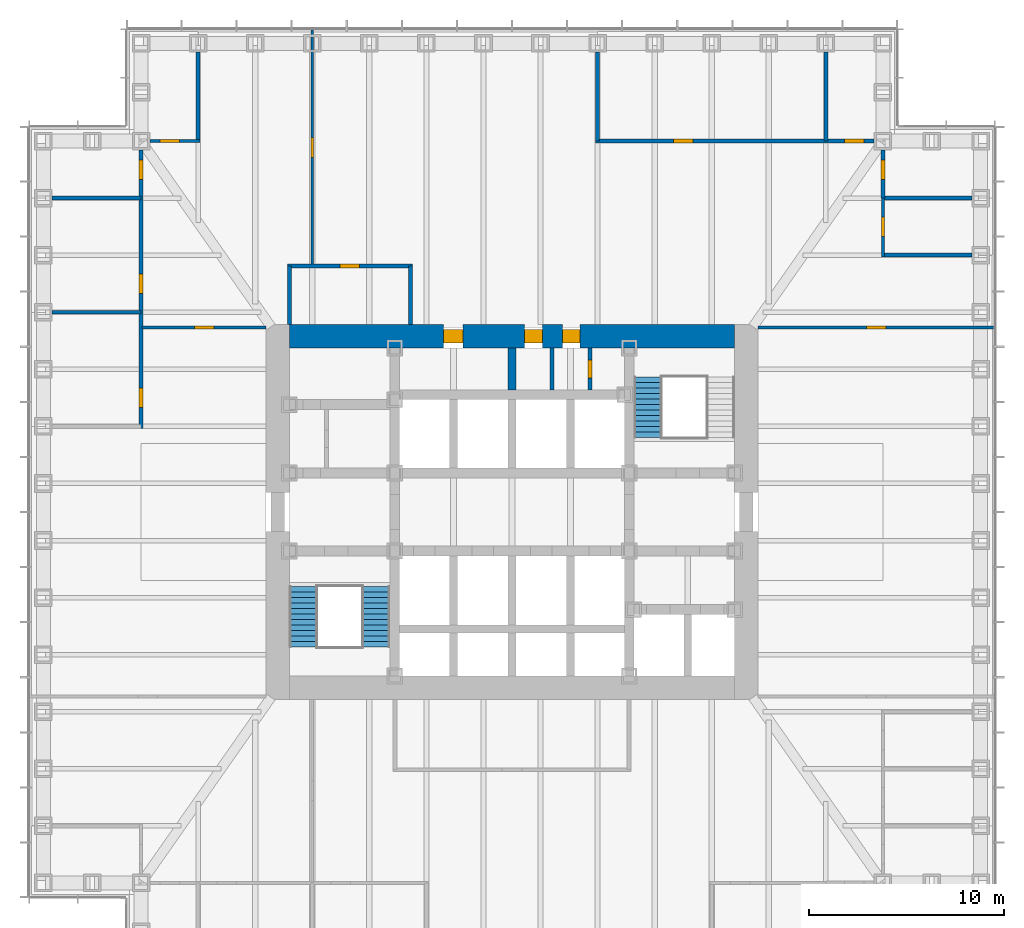
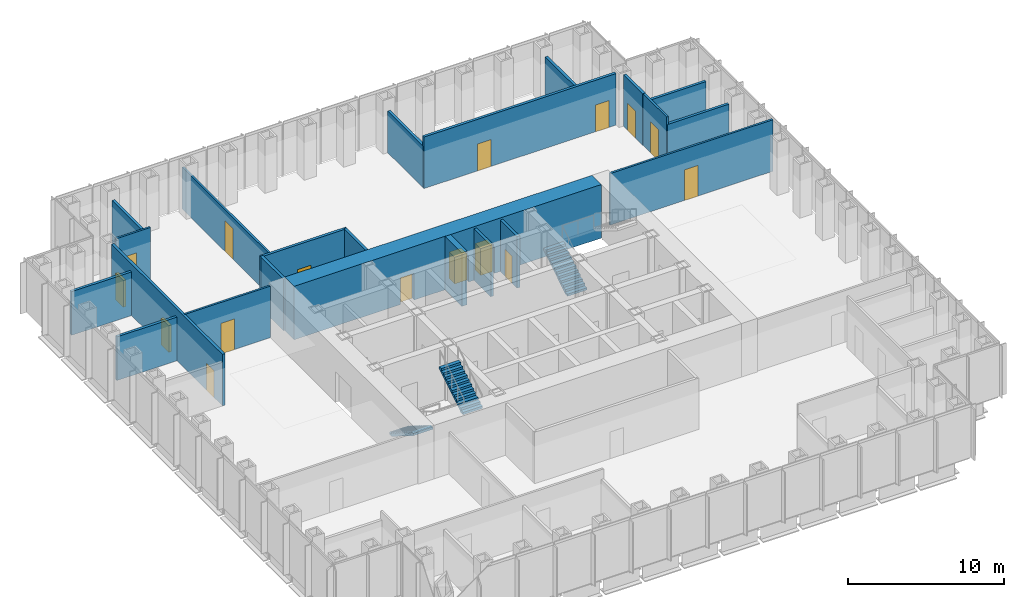
# One storey, part 10 of 17: 22 walls, 16 doors, 3 stair flights, 16 openings, 2 elements without a shape of their own.
"""IFC4 building model written with IfcOpenShell, lengths in metres."""

from ifc_helpers import new_model, si_unit, direction, frame, frame_2d, origin, place, context, subcontext, project, spatial, polyline, rectangle, outline, extrude, material, layer, layer_set, type_object, element, fill, aggregate, save


model = new_model("IFC4")

# Units and contexts
model_context = context("Model", 3, precision=1e-05, world=origin(), true_north=direction((0.0, 1.0)))
body_context = subcontext(model_context, "Body", "Model", "MODEL_VIEW")
ifc_project = project(units=[si_unit("LENGTHUNIT", "METRE"), si_unit("AREAUNIT", "SQUARE_METRE"), si_unit("VOLUMEUNIT", "CUBIC_METRE"), si_unit("PLANEANGLEUNIT", "RADIAN"), si_unit("MASSUNIT", "GRAM", prefix="KILO")], contexts=[model_context])

# Site, building, storey
site_placement = place(None, origin())
site = spatial("IfcSite", under=ifc_project, at=site_placement, CompositionType="ELEMENT")
building_placement = place(site_placement, origin())
building = spatial("IfcBuilding", under=site, at=building_placement, Name="Daluyong Arena Tower", CompositionType="ELEMENT")
storey_placement = place(building_placement, frame((0.0, 0.0, 85.300048828125)))
storey = spatial("IfcBuildingStorey", under=building, at=storey_placement, Name="L18", CompositionType="ELEMENT", Elevation=85.300048828125)

# Wall, openings, doors
ifc_material_1 = material(Name="Concrete fc' 60 MPa", Category="concrete")
ifc_layer_1 = layer(ifc_material_1, 1.199951171875)
ifc_layer_set_1 = layer_set([ifc_layer_1], Name="Concrete fc' 60 MPa")
wall_type_1 = type_object("IfcWallType", Name="Core wall 1200", PredefinedType="SHEAR", material=ifc_layer_set_1)
wall_1_placement = place(storey_placement, frame((44.60009765625, 89.0, 0.0), z_axis=(0.0, 0.0, 1.0), x_axis=(1.0, 0.0, 0.0)))
wall_1 = element("IfcWall", 1, at=wall_1_placement, inside=storey, type_object=wall_type_1, Name="core wall at L18", PredefinedType="SHEAR", context=body_context, shape_type="SweptSolid", body=[
    extrude(rectangle(XDim=22.7998046875, YDim=1.199951171875, at=frame_2d((11.39990234375, 0.0))), origin(), (0.0, 0.0, 1.0), 4.199951171875),
])
opening_1_placement = place(wall_1_placement, frame((7.89990234375, 0.0, 0.0)))
opening_1 = element("IfcOpeningElement", 2, at=opening_1_placement, cuts=wall_1, Name="Opening 18004", PredefinedType="OPENING", context=body_context, shape_type="SweptSolid", body=[
    extrude(rectangle(XDim=1.0, YDim=2.10009765625, at=frame_2d((0.5, 1.050048828125))), frame((0.0, 0.60986328125, 0.0), z_axis=(0.0, -1.0, 0.0), x_axis=(1.0, 0.0, 0.0)), (0.0, 0.0, 1.0), 1.219970703125),
])
opening_2_placement = place(wall_1_placement, frame((12.050048828125, 0.0, 0.0)))
opening_2 = element("IfcOpeningElement", 3, at=opening_2_placement, cuts=wall_1, Name="Opening 18005", PredefinedType="OPENING", context=body_context, shape_type="SweptSolid", body=[
    extrude(rectangle(XDim=0.89990234375, YDim=2.10009765625, at=frame_2d((0.449951171875, 1.050048828125))), frame((0.0, 0.60986328125, 0.0), z_axis=(0.0, -1.0, 0.0), x_axis=(1.0, 0.0, 0.0)), (0.0, 0.0, 1.0), 1.219970703125),
])
opening_3_placement = place(wall_1_placement, frame((13.97509765625, 0.0, 0.0)))
opening_3 = element("IfcOpeningElement", 4, at=opening_3_placement, cuts=wall_1, Name="Opening 18006", PredefinedType="OPENING", context=body_context, shape_type="SweptSolid", body=[
    extrude(rectangle(XDim=0.89990234375, YDim=2.10009765625, at=frame_2d((0.449951171875, 1.050048828125))), frame((0.0, 0.60986328125, 0.0), z_axis=(0.0, -1.0, 0.0), x_axis=(1.0, 0.0, 0.0)), (0.0, 0.0, 1.0), 1.219970703125),
])
ifc_material_2 = material(Name="Timber door", Category="wood")
door_type_1 = type_object("IfcDoorType", Name="Accessible toilet door 1000", OperationType="SINGLE_SWING_LEFT", PredefinedType="DOOR", material=ifc_material_2)
door_1_placement = place(opening_1_placement, origin())
door_1 = element("IfcDoor", 5, at=door_1_placement, inside=storey, type_object=door_type_1, Name="accessible toilet door 18004", OperationType="SINGLE_SWING_LEFT", OverallHeight=2.10009765625, OverallWidth=1.0, PredefinedType="DOOR", context=body_context, shape_type="SweptSolid", body=[
    extrude(rectangle(XDim=1.0, YDim=2.10009765625, at=frame_2d((0.5, 1.050048828125))), frame((0.0, 0.35009765625, 0.0), z_axis=(0.0, -1.0, 0.0), x_axis=(1.0, 0.0, 0.0)), (0.0, 0.0, 1.0), 0.699951171875),
])
fill(opening_1, door_1)
ifc_material_3 = material(Name="Steel door, fire rated", Category="steel")
door_type_2 = type_object("IfcDoorType", Name="Core room door 900", OperationType="SINGLE_SWING_LEFT", PredefinedType="DOOR", material=ifc_material_3)
door_2_placement = place(opening_3_placement, origin())
door_2 = element("IfcDoor", 6, at=door_2_placement, inside=storey, type_object=door_type_2, Name="print room door 18006", OperationType="SINGLE_SWING_LEFT", OverallHeight=2.10009765625, OverallWidth=0.89990234375, PredefinedType="DOOR", context=body_context, shape_type="SweptSolid", body=[
    extrude(rectangle(XDim=0.89990234375, YDim=2.10009765625, at=frame_2d((0.449951171875, 1.050048828125))), frame((0.0, 0.35009765625, 0.0), z_axis=(0.0, -1.0, 0.0), x_axis=(1.0, 0.0, 0.0)), (0.0, 0.0, 1.0), 0.699951171875),
])
fill(opening_3, door_2)
ifc_material_4 = material(Name="Steel door, fire rated", Category="steel")
door_type_3 = type_object("IfcDoorType", Name="Core store door 900", OperationType="SINGLE_SWING_LEFT", PredefinedType="DOOR", material=ifc_material_4)
door_3_placement = place(opening_2_placement, origin())
door_3 = element("IfcDoor", 7, at=door_3_placement, inside=storey, type_object=door_type_3, Name="furniture store door 18005", OperationType="SINGLE_SWING_LEFT", OverallHeight=2.10009765625, OverallWidth=0.89990234375, PredefinedType="DOOR", context=body_context, shape_type="SweptSolid", body=[
    extrude(rectangle(XDim=0.89990234375, YDim=2.10009765625, at=frame_2d((0.449951171875, 1.050048828125))), frame((0.0, 0.35009765625, 0.0), z_axis=(0.0, -1.0, 0.0), x_axis=(1.0, 0.0, 0.0)), (0.0, 0.0, 1.0), 0.699951171875),
])
fill(opening_2, door_3)

# Wall, opening, door
ifc_material_5 = material(Name="Concrete block partition, fire rated", Category="concrete")
ifc_layer_2 = layer(ifc_material_5, 0.199951171875)
ifc_layer_set_2 = layer_set([ifc_layer_2], Name="Concrete block partition, fire rated")
wall_type_2 = type_object("IfcWallType", Name="Fire-rated partition 200", PredefinedType="PARTITIONING", material=ifc_layer_set_2)
wall_2_placement = place(storey_placement, frame((60.0, 86.25, 0.0), z_axis=(0.0, 0.0, 1.0), x_axis=(0.0, 1.0, 0.0)))
wall_2 = element("IfcWall", 8, at=wall_2_placement, inside=storey, type_object=wall_type_2, Name="electrical riser enclosure at L18", PredefinedType="PARTITIONING", context=body_context, shape_type="SweptSolid", body=[
    extrude(rectangle(XDim=2.14990234375, YDim=0.199951171875, at=frame_2d((1.074951171875, 0.0))), origin(), (0.0, 0.0, 1.0), 4.0400390625),
])
opening_4_placement = place(wall_2_placement, frame((0.625, 0.0, 0.0)))
opening_4 = element("IfcOpeningElement", 9, at=opening_4_placement, cuts=wall_2, Name="Opening 18007", PredefinedType="OPENING", context=body_context, shape_type="SweptSolid", body=[
    extrude(rectangle(XDim=0.89990234375, YDim=2.10009765625, at=frame_2d((0.449951171875, 1.050048828125))), frame((0.0, 0.10986328125, 0.0), z_axis=(0.0, -1.0, 0.0), x_axis=(1.0, 0.0, 0.0)), (0.0, 0.0, 1.0), 0.219970703125),
])
ifc_material_6 = material(Name="Steel door, fire rated", Category="steel")
door_type_4 = type_object("IfcDoorType", Name="Riser door 900", OperationType="SINGLE_SWING_LEFT", PredefinedType="DOOR", material=ifc_material_6)
door_4_placement = place(opening_4_placement, origin())
door_4 = element("IfcDoor", 10, at=door_4_placement, inside=storey, type_object=door_type_4, Name="riser door 18007", OperationType="SINGLE_SWING_LEFT", OverallHeight=2.10009765625, OverallWidth=0.89990234375, PredefinedType="DOOR", context=body_context, shape_type="SweptSolid", body=[
    extrude(rectangle(XDim=0.89990234375, YDim=2.10009765625, at=frame_2d((0.449951171875, 1.050048828125))), frame((0.0, 0.099609375, 0.0), z_axis=(0.0, -1.0, 0.0), x_axis=(1.0, 0.0, 0.0)), (0.0, 0.0, 1.0), 0.199462890625),
])
fill(opening_4, door_4)

# Wall
wall_3_placement = place(storey_placement, frame((58.050048828125, 86.25, 0.0), z_axis=(0.0, 0.0, 1.0), x_axis=(0.0, 1.0, 0.0)))
element("IfcWall", 11, at=wall_3_placement, inside=storey, type_object=wall_type_2, Name="core room partition at L18", PredefinedType="PARTITIONING", context=body_context, shape_type="SweptSolid", body=[
    extrude(rectangle(XDim=2.14990234375, YDim=0.199951171875, at=frame_2d((1.074951171875, 0.0))), origin(), (0.0, 0.0, 1.0), 4.0400390625),
])

# Wall, opening, door
ifc_material_7 = material(Name="Glazed aluminium partition", Category="aluminium")
ifc_layer_3 = layer(ifc_material_7, 0.14990234375)
ifc_layer_set_3 = layer_set([ifc_layer_3], Name="Glazed aluminium partition")
wall_type_3 = type_object("IfcWallType", Name="Glazed partition 150", PredefinedType="PARTITIONING", material=ifc_layer_set_3)
wall_4_placement = place(storey_placement, frame((37.050048828125, 89.449951171875, 0.0), z_axis=(0.0, 0.0, 1.0), x_axis=(1.0, 0.0, 0.0)))
wall_4 = element("IfcWall", 12, at=wall_4_placement, inside=storey, type_object=wall_type_3, Name="glazed partition at L18", PredefinedType="PARTITIONING", context=body_context, shape_type="SweptSolid", body=[
    extrude(rectangle(XDim=6.349853515625, YDim=0.14990234375, at=frame_2d((3.1748046875, 0.0))), origin(), (0.0, 0.0, 1.0), 4.0400390625),
])
opening_5_placement = place(wall_4_placement, frame((2.675048828125, 0.0, 0.0)))
opening_5 = element("IfcOpeningElement", 13, at=opening_5_placement, cuts=wall_4, Name="Opening 18041", PredefinedType="OPENING", context=body_context, shape_type="SweptSolid", body=[
    extrude(rectangle(XDim=1.0, YDim=2.39990234375, at=frame_2d((0.5, 1.199951171875))), frame((0.0, 0.0849609375, 0.0), z_axis=(0.0, -1.0, 0.0), x_axis=(1.0, 0.0, 0.0)), (0.0, 0.0, 1.0), 0.169921875),
])
ifc_material_8 = material(Name="Glazed aluminium door", Category="aluminium")
door_type_5 = type_object("IfcDoorType", Name="Meeting room glazed door 1000", OperationType="SINGLE_SWING_RIGHT", PredefinedType="DOOR", material=ifc_material_8)
door_5_placement = place(opening_5_placement, origin())
door_5 = element("IfcDoor", 14, at=door_5_placement, inside=storey, type_object=door_type_5, Name="team area screen door 18041", OperationType="SINGLE_SWING_RIGHT", OverallHeight=2.39990234375, OverallWidth=1.0, PredefinedType="DOOR", context=body_context, shape_type="SweptSolid", body=[
    extrude(rectangle(XDim=1.0, YDim=2.39990234375, at=frame_2d((0.5, 1.199951171875))), frame((0.0, 0.07470703125, 0.0), z_axis=(0.0, -1.0, 0.0), x_axis=(1.0, 0.0, 0.0)), (0.0, 0.0, 1.0), 0.1494140625),
])
fill(opening_5, door_5)

wall_5_placement = place(storey_placement, frame((68.60009765625, 89.449951171875, 0.0), z_axis=(0.0, 0.0, 1.0), x_axis=(1.0, 0.0, 0.0)))
wall_5 = element("IfcWall", 15, at=wall_5_placement, inside=storey, type_object=wall_type_3, Name="glazed partition at L18", PredefinedType="PARTITIONING", context=body_context, shape_type="SweptSolid", body=[
    extrude(rectangle(XDim=12.08984375, YDim=0.14990234375, at=frame_2d((6.044921875, 0.0))), origin(), (0.0, 0.0, 1.0), 4.0400390625),
])
opening_6_placement = place(wall_5_placement, frame((5.544921875, 0.0, 0.0)))
opening_6 = element("IfcOpeningElement", 16, at=opening_6_placement, cuts=wall_5, Name="Opening 18043", PredefinedType="OPENING", context=body_context, shape_type="SweptSolid", body=[
    extrude(rectangle(XDim=1.0, YDim=2.39990234375, at=frame_2d((0.5, 1.199951171875))), frame((0.0, 0.0849609375, 0.0), z_axis=(0.0, -1.0, 0.0), x_axis=(1.0, 0.0, 0.0)), (0.0, 0.0, 1.0), 0.169921875),
])
door_6_placement = place(opening_6_placement, origin())
door_6 = element("IfcDoor", 17, at=door_6_placement, inside=storey, type_object=door_type_5, Name="team area screen door 18043", OperationType="SINGLE_SWING_RIGHT", OverallHeight=2.39990234375, OverallWidth=1.0, PredefinedType="DOOR", context=body_context, shape_type="SweptSolid", body=[
    extrude(rectangle(XDim=1.0, YDim=2.39990234375, at=frame_2d((0.5, 1.199951171875))), frame((0.0, 0.07470703125, 0.0), z_axis=(0.0, -1.0, 0.0), x_axis=(1.0, 0.0, 0.0)), (0.0, 0.0, 1.0), 0.1494140625),
])
fill(opening_6, door_6)

wall_6_placement = place(storey_placement, frame((37.449951171875, 99.0, 0.0), z_axis=(0.0, 0.0, 1.0), x_axis=(1.0, 0.0, 0.0)))
wall_6 = element("IfcWall", 18, at=wall_6_placement, inside=storey, type_object=wall_type_3, Name="glazed partition at L18", PredefinedType="PARTITIONING", context=body_context, shape_type="SweptSolid", body=[
    extrude(rectangle(XDim=2.5732421875, YDim=0.14990234375, at=frame_2d((1.28662109375, 0.0))), origin(), (0.0, 0.0, 1.0), 4.0400390625),
])
opening_7_placement = place(wall_6_placement, frame((0.511474609375, 0.0, 0.0)))
opening_7 = element("IfcOpeningElement", 19, at=opening_7_placement, cuts=wall_6, Name="Opening 18031", PredefinedType="OPENING", context=body_context, shape_type="SweptSolid", body=[
    extrude(rectangle(XDim=1.0, YDim=2.39990234375, at=frame_2d((0.5, 1.199951171875))), frame((0.0, 0.0849609375, 0.0), z_axis=(0.0, -1.0, 0.0), x_axis=(1.0, 0.0, 0.0)), (0.0, 0.0, 1.0), 0.169921875),
])
door_7_placement = place(opening_7_placement, origin())
door_7 = element("IfcDoor", 20, at=door_7_placement, inside=storey, type_object=door_type_5, Name="meeting room door 18031", OperationType="SINGLE_SWING_RIGHT", OverallHeight=2.39990234375, OverallWidth=1.0, PredefinedType="DOOR", context=body_context, shape_type="SweptSolid", body=[
    extrude(rectangle(XDim=1.0, YDim=2.39990234375, at=frame_2d((0.5, 1.199951171875))), frame((0.0, 0.07470703125, 0.0), z_axis=(0.0, -1.0, 0.0), x_axis=(1.0, 0.0, 0.0)), (0.0, 0.0, 1.0), 0.1494140625),
])
fill(opening_7, door_7)

wall_7_placement = place(storey_placement, frame((45.769287109375, 92.64990234375, 0.0), z_axis=(0.0, 0.0, 1.0), x_axis=(0.0, 1.0, 0.0)))
wall_7 = element("IfcWall", 21, at=wall_7_placement, inside=storey, type_object=wall_type_3, Name="glazed partition at L18", PredefinedType="PARTITIONING", context=body_context, shape_type="SweptSolid", body=[
    extrude(rectangle(XDim=12.0400390625, YDim=0.14990234375, at=frame_2d((6.02001953125, 0.0))), origin(), (0.0, 0.0, 1.0), 3.27783203125),
])
opening_8_placement = place(wall_7_placement, frame((5.52001953125, 0.0, 0.0)))
opening_8 = element("IfcOpeningElement", 22, at=opening_8_placement, cuts=wall_7, Name="Opening 18045", PredefinedType="OPENING", context=body_context, shape_type="SweptSolid", body=[
    extrude(rectangle(XDim=1.0, YDim=2.39990234375, at=frame_2d((0.5, 1.199951171875))), frame((0.0, 0.0849609375, 0.0), z_axis=(0.0, -1.0, 0.0), x_axis=(1.0, 0.0, 0.0)), (0.0, 0.0, 1.0), 0.169921875),
])
door_8_placement = place(opening_8_placement, origin())
door_8 = element("IfcDoor", 23, at=door_8_placement, inside=storey, type_object=door_type_5, Name="team area screen door 18045", OperationType="SINGLE_SWING_RIGHT", OverallHeight=2.39990234375, OverallWidth=1.0, PredefinedType="DOOR", context=body_context, shape_type="SweptSolid", body=[
    extrude(rectangle(XDim=1.0, YDim=2.39990234375, at=frame_2d((0.5, 1.199951171875))), frame((0.0, 0.07470703125, 0.0), z_axis=(0.0, -1.0, 0.0), x_axis=(1.0, 0.0, 0.0)), (0.0, 0.0, 1.0), 0.1494140625),
])
fill(opening_8, door_8)

wall_8_placement = place(storey_placement, frame((75.0, 93.053955078125, 0.0), z_axis=(0.0, 0.0, 1.0), x_axis=(0.0, 1.0, 0.0)))
wall_8 = element("IfcWall", 24, at=wall_8_placement, inside=storey, type_object=wall_type_3, Name="glazed partition at L18", PredefinedType="PARTITIONING", context=body_context, shape_type="SweptSolid", body=[
    extrude(rectangle(XDim=3.02294921875, YDim=0.14990234375, at=frame_2d((1.511474609375, 0.0))), origin(), (0.0, 0.0, 1.0), 4.0400390625),
])
opening_9_placement = place(wall_8_placement, frame((1.0615234375, 0.0, 0.0)))
opening_9 = element("IfcOpeningElement", 25, at=opening_9_placement, cuts=wall_8, Name="Opening 18029", PredefinedType="OPENING", context=body_context, shape_type="SweptSolid", body=[
    extrude(rectangle(XDim=1.0, YDim=2.39990234375, at=frame_2d((0.5, 1.199951171875))), frame((0.0, 0.0849609375, 0.0), z_axis=(0.0, -1.0, 0.0), x_axis=(1.0, 0.0, 0.0)), (0.0, 0.0, 1.0), 0.169921875),
])
door_9_placement = place(opening_9_placement, origin())
door_9 = element("IfcDoor", 26, at=door_9_placement, inside=storey, type_object=door_type_5, Name="focus room door 18029", OperationType="SINGLE_SWING_RIGHT", OverallHeight=2.39990234375, OverallWidth=1.0, PredefinedType="DOOR", context=body_context, shape_type="SweptSolid", body=[
    extrude(rectangle(XDim=1.0, YDim=2.39990234375, at=frame_2d((0.5, 1.199951171875))), frame((0.0, 0.07470703125, 0.0), z_axis=(0.0, -1.0, 0.0), x_axis=(1.0, 0.0, 0.0)), (0.0, 0.0, 1.0), 0.1494140625),
])
fill(opening_9, door_9)

# Walls
ifc_material_9 = material(Name="Concrete fc' 45 MPa", Category="concrete")
ifc_layer_4 = layer(ifc_material_9, 0.39990234375)
ifc_layer_set_4 = layer_set([ifc_layer_4], Name="Concrete fc' 45 MPa")
wall_type_4 = type_object("IfcWallType", Name="Lift shaft wall 400", PredefinedType="SHEAR", material=ifc_layer_set_4)
wall_9_placement = place(storey_placement, frame((56.0, 86.25, 0.0), z_axis=(0.0, 0.0, 1.0), x_axis=(0.0, 1.0, 0.0)))
element("IfcWall", 27, at=wall_9_placement, inside=storey, type_object=wall_type_4, Name="lift shaft wall at L18", PredefinedType="SHEAR", context=body_context, shape_type="SweptSolid", body=[
    extrude(rectangle(XDim=2.14990234375, YDim=0.39990234375, at=frame_2d((1.074951171875, 0.0))), origin(), (0.0, 0.0, 1.0), 4.199951171875),
])
ifc_material_10 = material(Name="Concrete block partition", Category="concrete")
ifc_layer_5 = layer(ifc_material_10, 0.199951171875)
ifc_layer_set_5 = layer_set([ifc_layer_5], Name="Concrete block partition")
wall_type_5 = type_object("IfcWallType", Name="Partition 200", PredefinedType="PARTITIONING", material=ifc_layer_set_5)
for number, where, z_axis, x_axis, name in (
    (28, (75.0, 93.15380859375, 0.0), (0.0, 0.0, 1.0), (1.0, 0.0, 0.0), "partition at L18"),
    (29, (75.0, 96.076904296875, 0.0), (0.0, 0.0, 1.0), (1.0, 0.0, 0.0), "partition at L18"),
    (30, (39.923095703125, 99.0, 0.0), (0.0, 0.0, 1.0), (0.0, 1.0, 0.0), "partition at L18"),
):
    element("IfcWall", number, at=place(storey_placement, frame(where, z_axis=z_axis, x_axis=x_axis)), inside=storey, type_object=wall_type_5, Name=name, PredefinedType="PARTITIONING", context=body_context, shape_type="SweptSolid", body=[
        extrude(rectangle(XDim=4.550048828125, YDim=0.199951171875, at=frame_2d((2.27490234375, 0.0))), origin(), (0.0, 0.0, 1.0), 3.427734375),
    ])
wall_10_placement = place(storey_placement, frame((60.384521484375, 99.0, 0.0), z_axis=(0.0, 0.0, 1.0), x_axis=(0.0, 1.0, 0.0)))
element("IfcWall", 31, at=wall_10_placement, inside=storey, type_object=wall_type_5, Name="partition at L18", PredefinedType="PARTITIONING", context=body_context, shape_type="SweptSolid", body=[
    extrude(rectangle(XDim=4.550048828125, YDim=0.199951171875, at=frame_2d((2.27490234375, 0.0))), origin(), (0.0, 0.0, 1.0), 3.27783203125),
])
for number, where, z_axis, x_axis, name in (
    (32, (72.076904296875, 99.0, 0.0), (0.0, 0.0, 1.0), (0.0, 1.0, 0.0), "partition at L18"),
    (33, (32.449951171875, 90.230712890625, 0.0), (0.0, 0.0, 1.0), (1.0, 0.0, 0.0), "partition at L18"),
    (34, (32.449951171875, 96.076904296875, 0.0), (0.0, 0.0, 1.0), (1.0, 0.0, 0.0), "partition at L18"),
):
    element("IfcWall", number, at=place(storey_placement, frame(where, z_axis=z_axis, x_axis=x_axis)), inside=storey, type_object=wall_type_5, Name=name, PredefinedType="PARTITIONING", context=body_context, shape_type="SweptSolid", body=[
        extrude(rectangle(XDim=4.550048828125, YDim=0.199951171875, at=frame_2d((2.27490234375, 0.0))), origin(), (0.0, 0.0, 1.0), 3.427734375),
    ])
for number, where, z_axis, x_axis, name in (
    (35, (44.60009765625, 89.60009765625, 0.0), (0.0, 0.0, 1.0), (0.0, 1.0, 0.0), "partition at L18"),
    (36, (50.800048828125, 89.60009765625, 0.0), (0.0, 0.0, 1.0), (0.0, 1.0, 0.0), "partition at L18"),
):
    element("IfcWall", number, at=place(storey_placement, frame(where, z_axis=z_axis, x_axis=x_axis)), inside=storey, type_object=wall_type_5, Name=name, PredefinedType="PARTITIONING", context=body_context, shape_type="SweptSolid", body=[
        extrude(rectangle(XDim=3.0, YDim=0.199951171875, at=frame_2d((1.5, 0.0))), origin(), (0.0, 0.0, 1.0), 4.0400390625),
    ])

# Wall, opening, door
wall_11_placement = place(storey_placement, frame((44.5, 92.60009765625, 0.0), z_axis=(0.0, 0.0, 1.0), x_axis=(1.0, 0.0, 0.0)))
wall_11 = element("IfcWall", 37, at=wall_11_placement, inside=storey, type_object=wall_type_5, Name="partition at L18", PredefinedType="PARTITIONING", context=body_context, shape_type="SweptSolid", body=[
    extrude(rectangle(XDim=6.39990234375, YDim=0.199951171875, at=frame_2d((3.199951171875, 0.0))), origin(), (0.0, 0.0, 1.0), 4.0400390625),
])
opening_10_placement = place(wall_11_placement, frame((2.699951171875, 0.0, 0.0)))
opening_10 = element("IfcOpeningElement", 38, at=opening_10_placement, cuts=wall_11, Name="Opening 18039", PredefinedType="OPENING", context=body_context, shape_type="SweptSolid", body=[
    extrude(rectangle(XDim=1.0, YDim=2.10009765625, at=frame_2d((0.5, 1.050048828125))), frame((0.0, 0.10986328125, 0.0), z_axis=(0.0, -1.0, 0.0), x_axis=(1.0, 0.0, 0.0)), (0.0, 0.0, 1.0), 0.219970703125),
])
ifc_material_11 = material(Name="Timber door", Category="wood")
door_type_6 = type_object("IfcDoorType", Name="Room door 1000", OperationType="SINGLE_SWING_LEFT", PredefinedType="DOOR", material=ifc_material_11)
door_10_placement = place(opening_10_placement, origin())
door_10 = element("IfcDoor", 39, at=door_10_placement, inside=storey, type_object=door_type_6, Name="comms room door 18039", OperationType="SINGLE_SWING_LEFT", OverallHeight=2.10009765625, OverallWidth=1.0, PredefinedType="DOOR", context=body_context, shape_type="SweptSolid", body=[
    extrude(rectangle(XDim=1.0, YDim=2.10009765625, at=frame_2d((0.5, 1.050048828125))), frame((0.0, 0.099609375, 0.0), z_axis=(0.0, -1.0, 0.0), x_axis=(1.0, 0.0, 0.0)), (0.0, 0.0, 1.0), 0.199462890625),
])
fill(opening_10, door_10)

# Wall, openings, doors
wall_12_placement = place(storey_placement, frame((60.28466796875, 99.0, 0.0), z_axis=(0.0, 0.0, 1.0), x_axis=(1.0, 0.0, 0.0)))
wall_12 = element("IfcWall", 40, at=wall_12_placement, inside=storey, type_object=wall_type_5, Name="partition at L18", PredefinedType="PARTITIONING", context=body_context, shape_type="SweptSolid", body=[
    extrude(rectangle(XDim=14.265380859375, YDim=0.199951171875, at=frame_2d((7.1328125, 0.0))), origin(), (0.0, 0.0, 1.0), 4.0400390625),
])
opening_11_placement = place(wall_12_placement, frame((3.984619140625, 0.0, 0.0)))
opening_11 = element("IfcOpeningElement", 41, at=opening_11_placement, cuts=wall_12, Name="Opening 18032", PredefinedType="OPENING", context=body_context, shape_type="SweptSolid", body=[
    extrude(rectangle(XDim=1.0, YDim=2.10009765625, at=frame_2d((0.5, 1.050048828125))), frame((0.0, 0.10986328125, 0.0), z_axis=(0.0, -1.0, 0.0), x_axis=(1.0, 0.0, 0.0)), (0.0, 0.0, 1.0), 0.219970703125),
])
opening_12_placement = place(wall_12_placement, frame((12.75390625, 0.0, 0.0)))
opening_12 = element("IfcOpeningElement", 42, at=opening_12_placement, cuts=wall_12, Name="Opening 18033", PredefinedType="OPENING", context=body_context, shape_type="SweptSolid", body=[
    extrude(rectangle(XDim=1.0, YDim=2.10009765625, at=frame_2d((0.5, 1.050048828125))), frame((0.0, 0.10986328125, 0.0), z_axis=(0.0, -1.0, 0.0), x_axis=(1.0, 0.0, 0.0)), (0.0, 0.0, 1.0), 0.219970703125),
])
door_11_placement = place(opening_11_placement, origin())
door_11 = element("IfcDoor", 43, at=door_11_placement, inside=storey, type_object=door_type_6, Name="training room door 18032", OperationType="SINGLE_SWING_LEFT", OverallHeight=2.10009765625, OverallWidth=1.0, PredefinedType="DOOR", context=body_context, shape_type="SweptSolid", body=[
    extrude(rectangle(XDim=1.0, YDim=2.10009765625, at=frame_2d((0.5, 1.050048828125))), frame((0.0, 0.099609375, 0.0), z_axis=(0.0, -1.0, 0.0), x_axis=(1.0, 0.0, 0.0)), (0.0, 0.0, 1.0), 0.199462890625),
])
fill(opening_11, door_11)
door_12_placement = place(opening_12_placement, origin())
door_12 = element("IfcDoor", 44, at=door_12_placement, inside=storey, type_object=door_type_6, Name="wellness room door 18033", OperationType="SINGLE_SWING_LEFT", OverallHeight=2.10009765625, OverallWidth=1.0, PredefinedType="DOOR", context=body_context, shape_type="SweptSolid", body=[
    extrude(rectangle(XDim=1.0, YDim=2.10009765625, at=frame_2d((0.5, 1.050048828125))), frame((0.0, 0.099609375, 0.0), z_axis=(0.0, -1.0, 0.0), x_axis=(1.0, 0.0, 0.0)), (0.0, 0.0, 1.0), 0.199462890625),
])
fill(opening_12, door_12)

wall_13_placement = place(storey_placement, frame((37.0, 84.28466796875, 0.0), z_axis=(0.0, 0.0, 1.0), x_axis=(0.0, 1.0, 0.0)))
wall_13 = element("IfcWall", 45, at=wall_13_placement, inside=storey, type_object=wall_type_5, Name="partition at L18", PredefinedType="PARTITIONING", context=body_context, shape_type="SweptSolid", body=[
    extrude(rectangle(XDim=14.265380859375, YDim=0.199951171875, at=frame_2d((7.1328125, 0.0))), origin(), (0.0, 0.0, 1.0), 4.0400390625),
])
opening_13_placement = place(wall_13_placement, frame((1.0615234375, 0.0, 0.0)))
opening_13 = element("IfcOpeningElement", 46, at=opening_13_placement, cuts=wall_13, Name="Opening 18035", PredefinedType="OPENING", context=body_context, shape_type="SweptSolid", body=[
    extrude(rectangle(XDim=1.0, YDim=2.10009765625, at=frame_2d((0.5, 1.050048828125))), frame((0.0, 0.10986328125, 0.0), z_axis=(0.0, -1.0, 0.0), x_axis=(1.0, 0.0, 0.0)), (0.0, 0.0, 1.0), 0.219970703125),
])
opening_14_placement = place(wall_13_placement, frame((6.90771484375, 0.0, 0.0)))
opening_14 = element("IfcOpeningElement", 47, at=opening_14_placement, cuts=wall_13, Name="Opening 18036", PredefinedType="OPENING", context=body_context, shape_type="SweptSolid", body=[
    extrude(rectangle(XDim=1.0, YDim=2.10009765625, at=frame_2d((0.5, 1.050048828125))), frame((0.0, 0.10986328125, 0.0), z_axis=(0.0, -1.0, 0.0), x_axis=(1.0, 0.0, 0.0)), (0.0, 0.0, 1.0), 0.219970703125),
])
opening_15_placement = place(wall_13_placement, frame((12.75390625, 0.0, 0.0)))
opening_15 = element("IfcOpeningElement", 48, at=opening_15_placement, cuts=wall_13, Name="Opening 18037", PredefinedType="OPENING", context=body_context, shape_type="SweptSolid", body=[
    extrude(rectangle(XDim=1.0, YDim=2.10009765625, at=frame_2d((0.5, 1.050048828125))), frame((0.0, 0.10986328125, 0.0), z_axis=(0.0, -1.0, 0.0), x_axis=(1.0, 0.0, 0.0)), (0.0, 0.0, 1.0), 0.219970703125),
])
door_13_placement = place(opening_13_placement, origin())
door_13 = element("IfcDoor", 49, at=door_13_placement, inside=storey, type_object=door_type_6, Name="project room door 18035", OperationType="SINGLE_SWING_LEFT", OverallHeight=2.10009765625, OverallWidth=1.0, PredefinedType="DOOR", context=body_context, shape_type="SweptSolid", body=[
    extrude(rectangle(XDim=1.0, YDim=2.10009765625, at=frame_2d((0.5, 1.050048828125))), frame((0.0, 0.099609375, 0.0), z_axis=(0.0, -1.0, 0.0), x_axis=(1.0, 0.0, 0.0)), (0.0, 0.0, 1.0), 0.199462890625),
])
fill(opening_13, door_13)
door_14_placement = place(opening_14_placement, origin())
door_14 = element("IfcDoor", 50, at=door_14_placement, inside=storey, type_object=door_type_6, Name="project room door 18036", OperationType="SINGLE_SWING_LEFT", OverallHeight=2.10009765625, OverallWidth=1.0, PredefinedType="DOOR", context=body_context, shape_type="SweptSolid", body=[
    extrude(rectangle(XDim=1.0, YDim=2.10009765625, at=frame_2d((0.5, 1.050048828125))), frame((0.0, 0.099609375, 0.0), z_axis=(0.0, -1.0, 0.0), x_axis=(1.0, 0.0, 0.0)), (0.0, 0.0, 1.0), 0.199462890625),
])
fill(opening_14, door_14)
door_15_placement = place(opening_15_placement, origin())
door_15 = element("IfcDoor", 51, at=door_15_placement, inside=storey, type_object=door_type_6, Name="quiet room door 18037", OperationType="SINGLE_SWING_LEFT", OverallHeight=2.10009765625, OverallWidth=1.0, PredefinedType="DOOR", context=body_context, shape_type="SweptSolid", body=[
    extrude(rectangle(XDim=1.0, YDim=2.10009765625, at=frame_2d((0.5, 1.050048828125))), frame((0.0, 0.099609375, 0.0), z_axis=(0.0, -1.0, 0.0), x_axis=(1.0, 0.0, 0.0)), (0.0, 0.0, 1.0), 0.199462890625),
])
fill(opening_15, door_15)

# Wall, opening, door
wall_14_placement = place(storey_placement, frame((75.0, 96.076904296875, 0.0), z_axis=(0.0, 0.0, 1.0), x_axis=(0.0, 1.0, 0.0)))
wall_14 = element("IfcWall", 52, at=wall_14_placement, inside=storey, type_object=wall_type_5, Name="partition at L18", PredefinedType="PARTITIONING", context=body_context, shape_type="SweptSolid", body=[
    extrude(rectangle(XDim=2.47314453125, YDim=0.199951171875, at=frame_2d((1.236572265625, 0.0))), origin(), (0.0, 0.0, 1.0), 4.0400390625),
])
opening_16_placement = place(wall_14_placement, frame((0.96142578125, 0.0, 0.0)))
opening_16 = element("IfcOpeningElement", 53, at=opening_16_placement, cuts=wall_14, Name="Opening 18030", PredefinedType="OPENING", context=body_context, shape_type="SweptSolid", body=[
    extrude(rectangle(XDim=1.0, YDim=2.10009765625, at=frame_2d((0.5, 1.050048828125))), frame((0.0, 0.10986328125, 0.0), z_axis=(0.0, -1.0, 0.0), x_axis=(1.0, 0.0, 0.0)), (0.0, 0.0, 1.0), 0.219970703125),
])
door_16_placement = place(opening_16_placement, origin())
door_16 = element("IfcDoor", 54, at=door_16_placement, inside=storey, type_object=door_type_6, Name="quiet room door 18030", OperationType="SINGLE_SWING_LEFT", OverallHeight=2.10009765625, OverallWidth=1.0, PredefinedType="DOOR", context=body_context, shape_type="SweptSolid", body=[
    extrude(rectangle(XDim=1.0, YDim=2.10009765625, at=frame_2d((0.5, 1.050048828125))), frame((0.0, 0.099609375, 0.0), z_axis=(0.0, -1.0, 0.0), x_axis=(1.0, 0.0, 0.0)), (0.0, 0.0, 1.0), 0.199462890625),
])
fill(opening_16, door_16)

# Stair, stair flights
ifc_material_12 = material(Name="Concrete fc' 35 MPa", Category="concrete")
stair_type = type_object("IfcStairType", Name="Core exit stair", PredefinedType="HALF_TURN_STAIR", material=ifc_material_12)
stair_1_placement = place(storey_placement, origin())
stair_1 = element("IfcStair", 55, at=stair_1_placement, inside=storey, type_object=stair_type, Name="exit stair A L18", PredefinedType="HALF_TURN_STAIR")
ifc_material_13 = material(Name="Concrete fc' 35 MPa", Category="concrete")
stair_flight_type = type_object("IfcStairFlightType", Name="Core stair flight", PredefinedType="STRAIGHT", material=ifc_material_13)
stair_flight_1_placement = place(storey_placement, frame((45.324951171875, 76.175048828125, 0.0), z_axis=(0.0, 0.0, 1.0), x_axis=(0.0, -1.0, 0.0)))
stair_flight_1 = element("IfcStairFlight", 56, at=stair_flight_1_placement, type_object=stair_flight_type, Name="STA flight 1", NumberOfRisers=12, NumberOfTreads=11, PredefinedType="STRAIGHT", RiserHeight=0.175, TreadLength=0.28, context=body_context, shape_type="SweptSolid", body=[
    extrude(outline(polyline([(0.0, 0.0), (0.0, 0.175048828125), (0.280029296875, 0.175048828125), (0.280029296875, 0.35009765625), (0.56005859375, 0.35009765625), (0.56005859375, 0.52490234375), (0.840087890625, 0.52490234375), (0.840087890625, 0.699951171875), (1.1201171875, 0.699951171875), (1.1201171875, 0.875), (1.39990234375, 0.875), (1.39990234375, 1.050048828125), (1.679931640625, 1.050048828125), (1.679931640625, 1.22509765625), (1.9599609375, 1.22509765625), (1.9599609375, 1.39990234375), (2.239990234375, 1.39990234375), (2.239990234375, 1.574951171875), (2.52001953125, 1.574951171875), (2.52001953125, 1.75), (2.800048828125, 1.75), (2.800048828125, 1.925048828125), (3.080078125, 1.925048828125), (3.080078125, 2.10009765625), (3.080078125, 1.748291015625), (0.28271484375, 0.0), (0.0, 0.0)])), frame((0.0, 0.72509765625, 0.0), z_axis=(0.0, -1.0, 0.0), x_axis=(1.0, 0.0, 0.0)), (0.0, 0.0, 1.0), 1.449951171875),
])
stair_flight_2_placement = place(storey_placement, frame((49.02490234375, 73.094970703125, 2.099853515625), z_axis=(0.0, 0.0, 1.0), x_axis=(0.0, 1.0, 0.0)))
stair_flight_2 = element("IfcStairFlight", 57, at=stair_flight_2_placement, type_object=stair_flight_type, Name="STA flight 2", NumberOfRisers=12, NumberOfTreads=11, PredefinedType="STRAIGHT", RiserHeight=0.175, TreadLength=0.28, context=body_context, shape_type="SweptSolid", body=[
    extrude(outline(polyline([(0.0, 0.0), (0.0, 0.175048828125), (0.280029296875, 0.175048828125), (0.280029296875, 0.35009765625), (0.56005859375, 0.35009765625), (0.56005859375, 0.52490234375), (0.840087890625, 0.52490234375), (0.840087890625, 0.699951171875), (1.1201171875, 0.699951171875), (1.1201171875, 0.875), (1.39990234375, 0.875), (1.39990234375, 1.050048828125), (1.679931640625, 1.050048828125), (1.679931640625, 1.22509765625), (1.9599609375, 1.22509765625), (1.9599609375, 1.39990234375), (2.239990234375, 1.39990234375), (2.239990234375, 1.574951171875), (2.52001953125, 1.574951171875), (2.52001953125, 1.75), (2.800048828125, 1.75), (2.800048828125, 1.925048828125), (3.080078125, 1.925048828125), (3.080078125, 2.10009765625), (3.080078125, 1.748291015625), (0.28271484375, 0.0), (0.0, 0.0)])), frame((0.0, 0.72509765625, 0.0), z_axis=(0.0, -1.0, 0.0), x_axis=(1.0, 0.0, 0.0)), (0.0, 0.0, 1.0), 1.449951171875),
])
aggregate(stair_1, [stair_flight_1, stair_flight_2])

# Stair, stair flight
stair_2_placement = place(storey_placement, origin())
stair_2 = element("IfcStair", 58, at=stair_2_placement, inside=storey, type_object=stair_type, Name="exit stair B L18", PredefinedType="HALF_TURN_STAIR")
stair_flight_3_placement = place(storey_placement, frame((62.97509765625, 83.824951171875, 0.0), z_axis=(0.0, 0.0, 1.0), x_axis=(0.0, 1.0, 0.0)))
stair_flight_3 = element("IfcStairFlight", 59, at=stair_flight_3_placement, type_object=stair_flight_type, Name="STB flight 1", NumberOfRisers=12, NumberOfTreads=11, PredefinedType="STRAIGHT", RiserHeight=0.175, TreadLength=0.28, context=body_context, shape_type="SweptSolid", body=[
    extrude(outline(polyline([(0.0, 0.0), (0.0, 0.175048828125), (0.280029296875, 0.175048828125), (0.280029296875, 0.35009765625), (0.56005859375, 0.35009765625), (0.56005859375, 0.52490234375), (0.840087890625, 0.52490234375), (0.840087890625, 0.699951171875), (1.1201171875, 0.699951171875), (1.1201171875, 0.875), (1.39990234375, 0.875), (1.39990234375, 1.050048828125), (1.679931640625, 1.050048828125), (1.679931640625, 1.22509765625), (1.9599609375, 1.22509765625), (1.9599609375, 1.39990234375), (2.239990234375, 1.39990234375), (2.239990234375, 1.574951171875), (2.52001953125, 1.574951171875), (2.52001953125, 1.75), (2.800048828125, 1.75), (2.800048828125, 1.925048828125), (3.080078125, 1.925048828125), (3.080078125, 2.10009765625), (3.080078125, 1.748291015625), (0.28271484375, 0.0), (0.0, 0.0)])), frame((0.0, 0.72509765625, 0.0), z_axis=(0.0, -1.0, 0.0), x_axis=(1.0, 0.0, 0.0)), (0.0, 0.0, 1.0), 1.449951171875),
])
aggregate(stair_2, [stair_flight_3])

save(model, "model.ifc")
